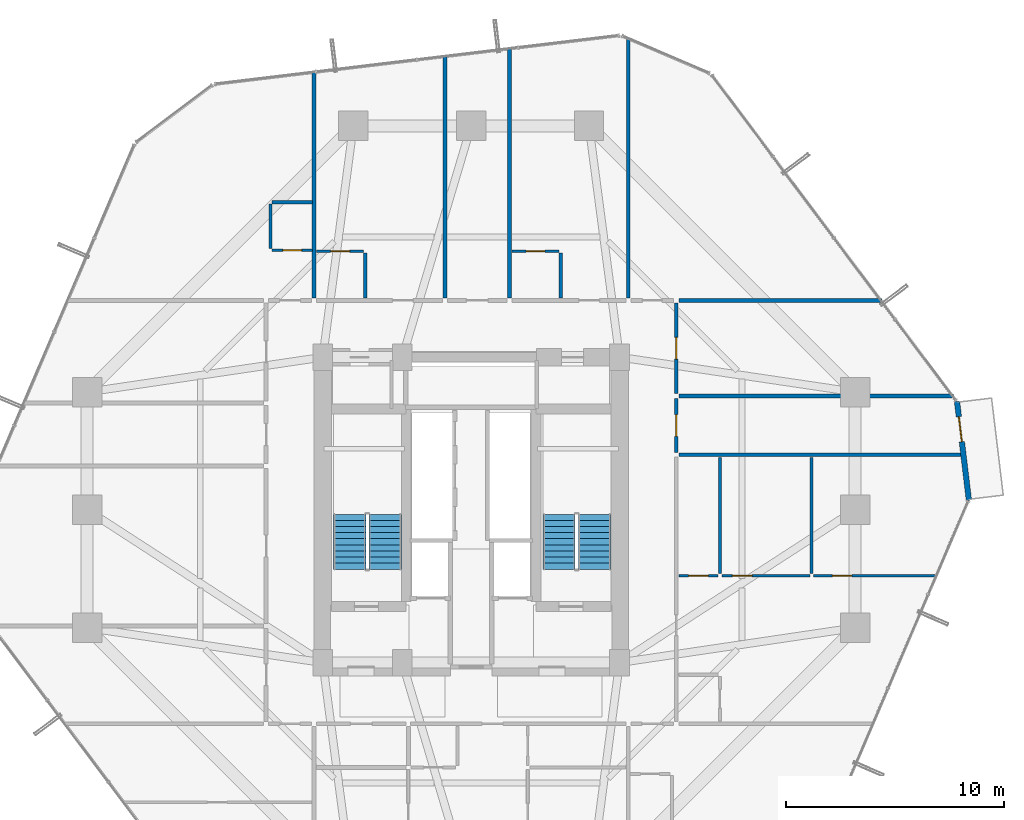
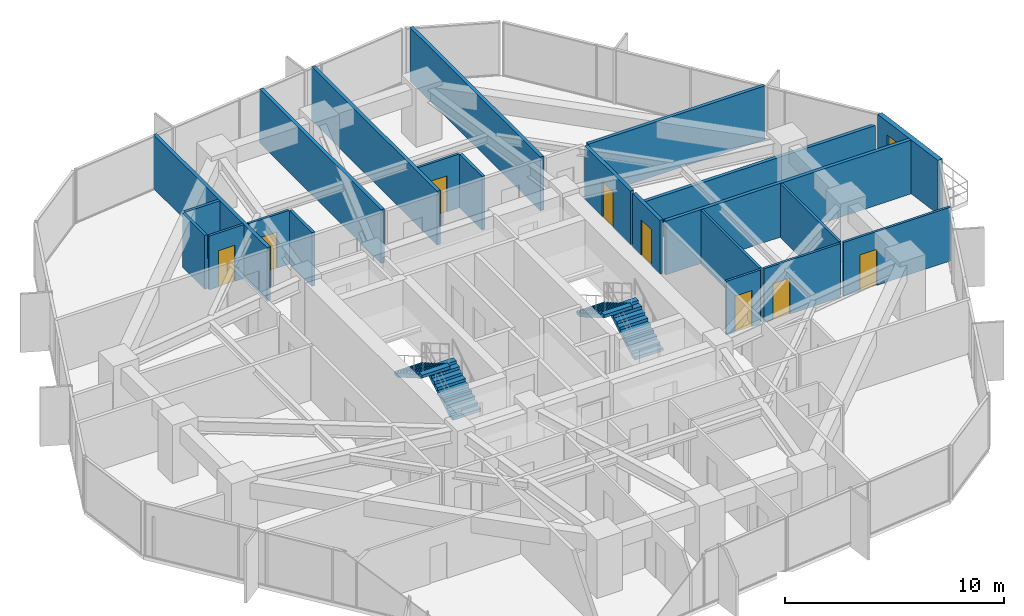
# One storey, part 35 of 37: 22 walls, 9 doors, 4 stair flights, 9 openings, 2 elements without a shape of their own.
"""IFC4 building model written with IfcOpenShell, lengths in metres."""

from ifc_helpers import new_model, si_unit, direction, frame, frame_2d, origin, place, context, subcontext, project, spatial, polyline, rectangle, outline, extrude, source, transform, mapped, material, layer, layer_set, type_object, element, fill, aggregate, save


model = new_model("IFC4")

# Units and contexts
model_context = context("Model", 3, precision=1e-05, world=origin(), true_north=direction((0.0, 1.0)))
body_context = subcontext(model_context, "Body", "Model", "MODEL_VIEW")
ifc_project = project(units=[si_unit("LENGTHUNIT", "METRE"), si_unit("AREAUNIT", "SQUARE_METRE"), si_unit("VOLUMEUNIT", "CUBIC_METRE"), si_unit("PLANEANGLEUNIT", "RADIAN"), si_unit("MASSUNIT", "GRAM", prefix="KILO")], contexts=[model_context])

# Site, building, storey
site_placement = place(None, origin())
site = spatial("IfcSite", under=ifc_project, at=site_placement, CompositionType="ELEMENT")
building_placement = place(site_placement, origin())
building = spatial("IfcBuilding", under=site, at=building_placement, Name="Veraguas Prism Commons", CompositionType="ELEMENT")
storey_placement = place(building_placement, frame((0.0, 0.0, 46.800048828125)))
storey = spatial("IfcBuildingStorey", under=building, at=storey_placement, Name="L12", CompositionType="ELEMENT", Elevation=46.800048828125)

# Walls
ifc_material_1 = material(Name="Autoclaved aerated masonry block 10 MPa", Category="masonry")
ifc_layer_1 = layer(ifc_material_1, 0.179931640625, Name="Corridor and Inter-Tenancy Partition 180", Category="masonry")
ifc_layer_set_1 = layer_set([ifc_layer_1], Name="Autoclaved aerated masonry block 10 MPa")
wall_type_1 = type_object("IfcWallType", Name="Corridor and Inter-Tenancy Partition 180", PredefinedType="PARTITIONING", material=ifc_layer_set_1)
wall_1_placement = place(storey_placement, frame((16.800048828125, 33.719970703125, 0.0), z_axis=(0.0, 0.0, 1.0), x_axis=(0.0, 1.0, 0.0)))
element("IfcWall", 1, at=wall_1_placement, inside=storey, type_object=wall_type_1, Name="WL-L12-PT017", PredefinedType="PARTITIONING", context=body_context, shape_type="SweptSolid", body=[
    extrude(rectangle(XDim=10.37841796875, YDim=0.179931640625, at=frame_2d((5.189208984375, 0.0))), origin(), (0.0, 0.0, 1.0), 3.0),
])
wall_2_placement = place(storey_placement, frame((31.199951171875, 33.719970703125, 0.0), z_axis=(0.0, 0.0, 1.0), x_axis=(0.0, 1.0, 0.0)))
element("IfcWall", 2, at=wall_2_placement, inside=storey, type_object=wall_type_1, Name="WL-L12-PT018", PredefinedType="PARTITIONING", context=body_context, shape_type="SweptSolid", body=[
    extrude(rectangle(XDim=11.922607421875, YDim=0.179931640625, at=frame_2d((5.96142578125, 0.0))), origin(), (0.0, 0.0, 1.0), 3.0),
])
wall_3_placement = place(storey_placement, frame((22.80810546875, 33.719970703125, 0.0), z_axis=(0.0, 0.0, 1.0), x_axis=(0.0, 1.0, 0.0)))
element("IfcWall", 3, at=wall_3_placement, inside=storey, type_object=wall_type_1, Name="WL-L12-PT020", PredefinedType="PARTITIONING", context=body_context, shape_type="SweptSolid", body=[
    extrude(rectangle(XDim=11.101318359375, YDim=0.179931640625, at=frame_2d((5.55078125, 0.0))), origin(), (0.0, 0.0, 1.0), 3.0),
])
wall_4_placement = place(storey_placement, frame((25.758056640625, 33.719970703125, 0.0), z_axis=(0.0, 0.0, 1.0), x_axis=(0.0, 1.0, 0.0)))
element("IfcWall", 4, at=wall_4_placement, inside=storey, type_object=wall_type_1, Name="WL-L12-PT024", PredefinedType="PARTITIONING", context=body_context, shape_type="SweptSolid", body=[
    extrude(rectangle(XDim=11.456298828125, YDim=0.179931640625, at=frame_2d((5.72802734375, 0.0))), origin(), (0.0, 0.0, 1.0), 3.0),
])
wall_5_placement = place(storey_placement, frame((33.52001953125, 33.60009765625, 0.0), z_axis=(0.0, 0.0, 1.0), x_axis=(1.0, 0.0, 0.0)))
element("IfcWall", 5, at=wall_5_placement, inside=storey, type_object=wall_type_1, Name="WL-L12-PT038", PredefinedType="PARTITIONING", context=body_context, shape_type="SweptSolid", body=[
    extrude(rectangle(XDim=9.29736328125, YDim=0.179931640625, at=frame_2d((4.648681640625, 0.0))), origin(), (0.0, 0.0, 1.0), 3.0),
])
wall_6_placement = place(storey_placement, frame((33.52001953125, 26.528076171875, 0.0), z_axis=(0.0, 0.0, 1.0), x_axis=(1.0, 0.0, 0.0)))
element("IfcWall", 6, at=wall_6_placement, inside=storey, type_object=wall_type_1, Name="WL-L12-PT047", PredefinedType="PARTITIONING", context=body_context, shape_type="SweptSolid", body=[
    extrude(rectangle(XDim=13.07080078125, YDim=0.179931640625, at=frame_2d((6.535400390625, 0.0))), origin(), (0.0, 0.0, 1.0), 3.0),
])

# Wall, opening, door
wall_7_placement = place(storey_placement, frame((33.39990234375, 26.637939453125, 0.0), z_axis=(0.0, 0.0, 1.0), x_axis=(0.0, 1.0, 0.0)))
wall_7 = element("IfcWall", 7, at=wall_7_placement, inside=storey, type_object=wall_type_1, Name="WL-L12-PT048", PredefinedType="PARTITIONING", context=body_context, shape_type="SweptSolid", body=[
    extrude(rectangle(XDim=2.467041015625, YDim=0.179931640625, at=frame_2d((1.2333984375, 0.0))), origin(), (0.0, 0.0, 1.0), 3.0),
])
opening_1_placement = place(wall_7_placement, frame((0.7333984375, 0.0, 0.0)))
opening_1 = element("IfcOpeningElement", 8, at=opening_1_placement, cuts=wall_7, Name="Opening DR-13", PredefinedType="OPENING", context=body_context, shape_type="SweptSolid", body=[
    extrude(rectangle(XDim=1.0, YDim=2.010009765625, at=frame_2d((0.5, 1.0048828125))), frame((0.0, 0.099853515625, 0.0), z_axis=(0.0, -1.0, 0.0), x_axis=(1.0, 0.0, 0.0)), (0.0, 0.0, 1.0), 0.199951171875),
])
ifc_material_2 = material(Name="Steel fire-rated door assembly", Category="steel")
door_type_1 = type_object("IfcDoorType", Name="Core Accessible WC and Clinic Fire Door 1000x2010", OperationType="NOTDEFINED", PredefinedType="DOOR", material=ifc_material_2)
shared_shape_1 = source(origin(), body_context, "Body", "SweptSolid", [
    extrude(rectangle(XDim=1.0, YDim=2.010009765625, at=frame_2d((0.5, 1.0048828125))), frame((0.0, 0.02490234375, 0.0), z_axis=(0.0, -1.0, 0.0), x_axis=(1.0, 0.0, 0.0)), (0.0, 0.0, 1.0), 0.050048828125),
])
door_1_placement = place(opening_1_placement, origin())
door_1 = element("IfcDoor", 9, at=door_1_placement, inside=storey, type_object=door_type_1, Name="Residents Study Room Door", OperationType="SINGLE_SWING_RIGHT", OverallHeight=2.010009765625, OverallWidth=1.0, PredefinedType="DOOR", context=body_context, shape_type="MappedRepresentation", body=[
    mapped(shared_shape_1, transform((0.0, 0.0, 0.0), scale=1.0)),
])
fill(opening_1, door_1)

wall_8_placement = place(storey_placement, frame((33.39990234375, 29.324951171875, 0.0), z_axis=(0.0, 0.0, 1.0), x_axis=(0.0, 1.0, 0.0)))
wall_8 = element("IfcWall", 10, at=wall_8_placement, inside=storey, type_object=wall_type_1, Name="WL-L12-PT049", PredefinedType="PARTITIONING", context=body_context, shape_type="SweptSolid", body=[
    extrude(rectangle(XDim=4.1650390625, YDim=0.179931640625, at=frame_2d((2.08251953125, 0.0))), origin(), (0.0, 0.0, 1.0), 3.0),
])
opening_2_placement = place(wall_8_placement, frame((1.58251953125, 0.0, 0.0)))
opening_2 = element("IfcOpeningElement", 11, at=opening_2_placement, cuts=wall_8, Name="Opening DR-13", PredefinedType="OPENING", context=body_context, shape_type="SweptSolid", body=[
    extrude(rectangle(XDim=1.0, YDim=2.010009765625, at=frame_2d((0.5, 1.0048828125))), frame((0.0, 0.099853515625, 0.0), z_axis=(0.0, -1.0, 0.0), x_axis=(1.0, 0.0, 0.0)), (0.0, 0.0, 1.0), 0.199951171875),
])
door_2_placement = place(opening_2_placement, origin())
door_2 = element("IfcDoor", 12, at=door_2_placement, inside=storey, type_object=door_type_1, Name="Co-op Store E Door", OperationType="SINGLE_SWING_LEFT", OverallHeight=2.010009765625, OverallWidth=1.0, PredefinedType="DOOR", context=body_context, shape_type="MappedRepresentation", body=[
    mapped(shared_shape_1, transform((0.0, 0.0, 0.0), scale=1.0)),
])
fill(opening_2, door_2)

# Wall
wall_9_placement = place(storey_placement, frame((33.52001953125, 29.215087890625, 0.0), z_axis=(0.0, 0.0, 1.0), x_axis=(1.0, 0.0, 0.0)))
element("IfcWall", 13, at=wall_9_placement, inside=storey, type_object=wall_type_1, Name="WL-L12-PT050", PredefinedType="PARTITIONING", context=body_context, shape_type="SweptSolid", body=[
    extrude(rectangle(XDim=12.5849609375, YDim=0.179931640625, at=frame_2d((6.29248046875, 0.0))), origin(), (0.0, 0.0, 1.0), 2.299072265625),
])

# Wall, opening, door
ifc_material_3 = material(Name="Precast concrete C40/50", Category="concrete")
ifc_layer_2 = layer(ifc_material_3, 0.25, Name="External Loggia and Portal Wall 250", Category="concrete")
ifc_layer_set_2 = layer_set([ifc_layer_2], Name="Precast concrete C40/50")
wall_type_2 = type_object("IfcWallType", Name="External Loggia and Portal Wall 250", PredefinedType="SOLIDWALL", material=ifc_layer_set_2)
wall_10_placement = place(storey_placement, frame((46.81201171875, 24.43798828125, 0.0), z_axis=(0.0, 0.0, 1.0), x_axis=(-0.119460515021, 0.992838952374, 0.0)))
wall_10 = element("IfcWall", 14, at=wall_10_placement, inside=storey, type_object=wall_type_2, Name="Corner Loggia Wall L12-C1", PredefinedType="SOLIDWALL", context=body_context, shape_type="SweptSolid", body=[
    extrude(rectangle(XDim=4.579833984375, YDim=0.25, at=frame_2d((2.2900390625, 0.0))), origin(), (0.0, 0.0, 1.0), 3.0),
])
opening_3_placement = place(wall_10_placement, frame((2.7099609375, 0.0, 0.0)))
opening_3 = element("IfcOpeningElement", 15, at=opening_3_placement, cuts=wall_10, Name="Opening DR-10", PredefinedType="OPENING", context=body_context, shape_type="SweptSolid", body=[
    extrude(rectangle(XDim=1.14990234375, YDim=2.25, at=frame_2d((0.574951171875, 1.125))), frame((0.0, 0.135009765625, 0.0), z_axis=(0.0, -1.0, 0.0), x_axis=(1.0, 0.0, 0.0)), (0.0, 0.0, 1.0), 0.27001953125),
])
ifc_material_4 = material(Name="Anodised aluminium EN AW-6063 T6", Category="aluminium")
door_type_2 = type_object("IfcDoorType", Name="Glazed Loggia and Terrace Door 1150x2250", OperationType="NOTDEFINED", PredefinedType="DOOR", material=ifc_material_4)
shared_shape_2 = source(origin(), body_context, "Body", "SweptSolid", [
    extrude(rectangle(XDim=1.14990234375, YDim=2.25, at=frame_2d((0.574951171875, 1.125))), frame((0.0, 0.02490234375, 0.0), z_axis=(0.0, -1.0, 0.0), x_axis=(1.0, 0.0, 0.0)), (0.0, 0.0, 1.0), 0.050048828125),
])
door_3_placement = place(opening_3_placement, frame((1.14990234375, 0.0, 0.0), z_axis=(0.0, 0.0, 1.0), x_axis=(-1.0, 0.0, 0.0)))
door_3 = element("IfcDoor", 16, at=door_3_placement, inside=storey, type_object=door_type_2, Name="Recessed Loggia Door L12-C1", OperationType="SINGLE_SWING_RIGHT", OverallHeight=2.25, OverallWidth=1.14990234375, PredefinedType="DOOR", context=body_context, shape_type="MappedRepresentation", body=[
    mapped(shared_shape_2, transform((0.0, 0.0, 0.0), scale=1.0)),
])
fill(opening_3, door_3)

ifc_material_5 = material(Name="Lightweight acoustic gypsum board")
ifc_layer_3 = layer(ifc_material_5, 0.125, Name="Internal Apartment Room Partition 125")
ifc_layer_set_3 = layer_set([ifc_layer_3], Name="Lightweight acoustic gypsum board")
wall_type_3 = type_object("IfcWallType", Name="Internal Apartment Room Partition 125", PredefinedType="PARTITIONING", material=ifc_layer_set_3)
wall_11_placement = place(storey_placement, frame((16.919921875, 35.85009765625, 0.0), z_axis=(0.0, 0.0, 1.0), x_axis=(1.0, 0.0, 0.0)))
wall_11 = element("IfcWall", 17, at=wall_11_placement, inside=storey, type_object=wall_type_3, Name="WL-L12-PT023", PredefinedType="PARTITIONING", context=body_context, shape_type="SweptSolid", body=[
    extrude(rectangle(XDim=2.150146484375, YDim=0.125, at=frame_2d((1.0751953125, 0.0))), origin(), (0.0, 0.0, 1.0), 3.0),
])
opening_4_placement = place(wall_11_placement, frame((0.64501953125, 0.0, 0.0)))
opening_4 = element("IfcOpeningElement", 18, at=opening_4_placement, cuts=wall_11, Name="Opening DR-03", PredefinedType="OPENING", context=body_context, shape_type="SweptSolid", body=[
    extrude(rectangle(XDim=0.860107421875, YDim=2.010009765625, at=frame_2d((0.43017578125, 1.0048828125))), frame((0.0, 0.072509765625, 0.0), z_axis=(0.0, -1.0, 0.0), x_axis=(1.0, 0.0, 0.0)), (0.0, 0.0, 1.0), 0.14501953125),
])
ifc_material_6 = material(Name="Timber moisture-resistant leaf", Category="wood")
door_type_3 = type_object("IfcDoorType", Name="Internal Bathroom Door 860x2010", OperationType="NOTDEFINED", PredefinedType="DOOR", material=ifc_material_6)
shared_shape_3 = source(origin(), body_context, "Body", "SweptSolid", [
    extrude(rectangle(XDim=0.860107421875, YDim=2.010009765625, at=frame_2d((0.43017578125, 1.0048828125))), frame((0.0, 0.02490234375, 0.0), z_axis=(0.0, -1.0, 0.0), x_axis=(1.0, 0.0, 0.0)), (0.0, 0.0, 1.0), 0.050048828125),
])
door_4_placement = place(opening_4_placement, origin())
door_4 = element("IfcDoor", 19, at=door_4_placement, inside=storey, type_object=door_type_3, Name="Studio 12B Bathroom Door", OperationType="SINGLE_SWING_RIGHT", OverallHeight=2.010009765625, OverallWidth=0.860107421875, PredefinedType="DOOR", context=body_context, shape_type="MappedRepresentation", body=[
    mapped(shared_shape_3, transform((0.0, 0.0, 0.0), scale=1.0)),
])
fill(opening_4, door_4)

wall_12_placement = place(storey_placement, frame((25.8779296875, 35.85009765625, 0.0), z_axis=(0.0, 0.0, 1.0), x_axis=(1.0, 0.0, 0.0)))
wall_12 = element("IfcWall", 20, at=wall_12_placement, inside=storey, type_object=wall_type_3, Name="WL-L12-PT027", PredefinedType="PARTITIONING", context=body_context, shape_type="SweptSolid", body=[
    extrude(rectangle(XDim=2.150146484375, YDim=0.125, at=frame_2d((1.0751953125, 0.0))), origin(), (0.0, 0.0, 1.0), 3.0),
])
opening_5_placement = place(wall_12_placement, frame((0.64501953125, 0.0, 0.0)))
opening_5 = element("IfcOpeningElement", 21, at=opening_5_placement, cuts=wall_12, Name="Opening DR-03", PredefinedType="OPENING", context=body_context, shape_type="SweptSolid", body=[
    extrude(rectangle(XDim=0.860107421875, YDim=2.010009765625, at=frame_2d((0.43017578125, 1.0048828125))), frame((0.0, 0.072509765625, 0.0), z_axis=(0.0, -1.0, 0.0), x_axis=(1.0, 0.0, 0.0)), (0.0, 0.0, 1.0), 0.14501953125),
])
door_5_placement = place(opening_5_placement, origin())
door_5 = element("IfcDoor", 22, at=door_5_placement, inside=storey, type_object=door_type_3, Name="Studio 12C Bathroom Door", OperationType="SINGLE_SWING_RIGHT", OverallHeight=2.010009765625, OverallWidth=0.860107421875, PredefinedType="DOOR", context=body_context, shape_type="MappedRepresentation", body=[
    mapped(shared_shape_3, transform((0.0, 0.0, 0.0), scale=1.0)),
])
fill(opening_5, door_5)

wall_13_placement = place(storey_placement, frame((33.52001953125, 20.97998046875, 0.0), z_axis=(0.0, 0.0, 1.0), x_axis=(1.0, 0.0, 0.0)))
wall_13 = element("IfcWall", 23, at=wall_13_placement, inside=storey, type_object=wall_type_3, Name="WL-L12-PT042", PredefinedType="PARTITIONING", context=body_context, shape_type="SweptSolid", body=[
    extrude(rectangle(XDim=1.800048828125, YDim=0.125, at=frame_2d((0.89990234375, 0.0))), origin(), (0.0, 0.0, 1.0), 3.0),
])
opening_6_placement = place(wall_13_placement, frame((0.449951171875, 0.0, 0.0)))
opening_6 = element("IfcOpeningElement", 24, at=opening_6_placement, cuts=wall_13, Name="Opening DR-02", PredefinedType="OPENING", context=body_context, shape_type="SweptSolid", body=[
    extrude(rectangle(XDim=0.89990234375, YDim=2.010009765625, at=frame_2d((0.449951171875, 1.0048828125))), frame((0.0, 0.072509765625, 0.0), z_axis=(0.0, -1.0, 0.0), x_axis=(1.0, 0.0, 0.0)), (0.0, 0.0, 1.0), 0.14501953125),
])
ifc_material_7 = material(Name="Timber solid core hardwood", Category="wood")
door_type_4 = type_object("IfcDoorType", Name="Internal Habitable Room Door 900x2010", OperationType="NOTDEFINED", PredefinedType="DOOR", material=ifc_material_7)
shared_shape_4 = source(origin(), body_context, "Body", "SweptSolid", [
    extrude(rectangle(XDim=0.89990234375, YDim=2.010009765625, at=frame_2d((0.449951171875, 1.0048828125))), frame((0.0, 0.02490234375, 0.0), z_axis=(0.0, -1.0, 0.0), x_axis=(1.0, 0.0, 0.0)), (0.0, 0.0, 1.0), 0.050048828125),
])
door_6_placement = place(opening_6_placement, origin())
door_6 = element("IfcDoor", 25, at=door_6_placement, inside=storey, type_object=door_type_4, Name="Flat 12D Kitchen Door", OperationType="SINGLE_SWING_LEFT", OverallHeight=2.010009765625, OverallWidth=0.89990234375, PredefinedType="DOOR", context=body_context, shape_type="MappedRepresentation", body=[
    mapped(shared_shape_4, transform((0.0, 0.0, 0.0), scale=1.0)),
])
fill(opening_6, door_6)

# Walls
for number, where, z_axis, x_axis, name in (
    (26, (35.39990234375, 21.080078125, 0.0), (0.0, 0.0, 1.0), (0.0, 1.0, 0.0), "WL-L12-PT043"),
    (27, (39.60009765625, 21.080078125, 0.0), (0.0, 0.0, 1.0), (0.0, 1.0, 0.0), "WL-L12-PT044"),
):
    element("IfcWall", number, at=place(storey_placement, frame(where, z_axis=z_axis, x_axis=x_axis)), inside=storey, type_object=wall_type_3, Name=name, PredefinedType="PARTITIONING", context=body_context, shape_type="SweptSolid", body=[
        extrude(rectangle(XDim=5.327880859375, YDim=0.125, at=frame_2d((2.6640625, 0.0))), origin(), (0.0, 0.0, 1.0), 3.0),
    ])

# Wall, opening, door
wall_14_placement = place(storey_placement, frame((35.5, 20.97998046875, 0.0), z_axis=(0.0, 0.0, 1.0), x_axis=(1.0, 0.0, 0.0)))
wall_14 = element("IfcWall", 28, at=wall_14_placement, inside=storey, type_object=wall_type_3, Name="WL-L12-PT045", PredefinedType="PARTITIONING", context=body_context, shape_type="SweptSolid", body=[
    extrude(rectangle(XDim=4.02001953125, YDim=0.125, at=frame_2d((2.010009765625, 0.0))), origin(), (0.0, 0.0, 1.0), 3.0),
])
opening_7_placement = place(wall_14_placement, frame((0.471923828125, 0.0, 0.0)))
opening_7 = element("IfcOpeningElement", 29, at=opening_7_placement, cuts=wall_14, Name="Opening DR-02", PredefinedType="OPENING", context=body_context, shape_type="SweptSolid", body=[
    extrude(rectangle(XDim=0.89990234375, YDim=2.010009765625, at=frame_2d((0.449951171875, 1.0048828125))), frame((0.0, 0.072509765625, 0.0), z_axis=(0.0, -1.0, 0.0), x_axis=(1.0, 0.0, 0.0)), (0.0, 0.0, 1.0), 0.14501953125),
])
door_7_placement = place(opening_7_placement, origin())
door_7 = element("IfcDoor", 30, at=door_7_placement, inside=storey, type_object=door_type_4, Name="Flat 12D Bedroom 1 Door", OperationType="SINGLE_SWING_RIGHT", OverallHeight=2.010009765625, OverallWidth=0.89990234375, PredefinedType="DOOR", context=body_context, shape_type="MappedRepresentation", body=[
    mapped(shared_shape_4, transform((0.0, 0.0, 0.0), scale=1.0)),
])
fill(opening_7, door_7)

wall_15_placement = place(storey_placement, frame((39.699951171875, 20.97998046875, 0.0), z_axis=(0.0, 0.0, 1.0), x_axis=(1.0, 0.0, 0.0)))
wall_15 = element("IfcWall", 31, at=wall_15_placement, inside=storey, type_object=wall_type_3, Name="WL-L12-PT046", PredefinedType="PARTITIONING", context=body_context, shape_type="SweptSolid", body=[
    extrude(rectangle(XDim=5.645263671875, YDim=0.125, at=frame_2d((2.82275390625, 0.0))), origin(), (0.0, 0.0, 1.0), 3.0),
])
opening_8_placement = place(wall_15_placement, frame((0.851806640625, 0.0, 0.0)))
opening_8 = element("IfcOpeningElement", 32, at=opening_8_placement, cuts=wall_15, Name="Opening DR-02", PredefinedType="OPENING", context=body_context, shape_type="SweptSolid", body=[
    extrude(rectangle(XDim=0.89990234375, YDim=2.010009765625, at=frame_2d((0.449951171875, 1.0048828125))), frame((0.0, 0.072509765625, 0.0), z_axis=(0.0, -1.0, 0.0), x_axis=(1.0, 0.0, 0.0)), (0.0, 0.0, 1.0), 0.14501953125),
])
door_8_placement = place(opening_8_placement, origin())
door_8 = element("IfcDoor", 33, at=door_8_placement, inside=storey, type_object=door_type_4, Name="Flat 12D Bedroom 2 Door", OperationType="SINGLE_SWING_LEFT", OverallHeight=2.010009765625, OverallWidth=0.89990234375, PredefinedType="DOOR", context=body_context, shape_type="MappedRepresentation", body=[
    mapped(shared_shape_4, transform((0.0, 0.0, 0.0), scale=1.0)),
])
fill(opening_8, door_8)

wall_16_placement = place(storey_placement, frame((14.8798828125, 35.89990234375, 0.0), z_axis=(0.0, 0.0, 1.0), x_axis=(1.0, 0.0, 0.0)))
wall_16 = element("IfcWall", 34, at=wall_16_placement, inside=storey, type_object=wall_type_3, Name="WL-L12-PT058", PredefinedType="PARTITIONING", context=body_context, shape_type="SweptSolid", body=[
    extrude(rectangle(XDim=1.840087890625, YDim=0.125, at=frame_2d((0.919921875, 0.0))), origin(), (0.0, 0.0, 1.0), 3.0),
])
opening_9_placement = place(wall_16_placement, frame((0.489990234375, 0.0, 0.0)))
opening_9 = element("IfcOpeningElement", 35, at=opening_9_placement, cuts=wall_16, Name="Opening DR-03", PredefinedType="OPENING", context=body_context, shape_type="SweptSolid", body=[
    extrude(rectangle(XDim=0.860107421875, YDim=2.010009765625, at=frame_2d((0.43017578125, 1.0048828125))), frame((0.0, 0.072509765625, 0.0), z_axis=(0.0, -1.0, 0.0), x_axis=(1.0, 0.0, 0.0)), (0.0, 0.0, 1.0), 0.14501953125),
])
door_9_placement = place(opening_9_placement, origin())
door_9 = element("IfcDoor", 36, at=door_9_placement, inside=storey, type_object=door_type_3, Name="Studio 12F Bathroom Door", OperationType="SINGLE_SWING_LEFT", OverallHeight=2.010009765625, OverallWidth=0.860107421875, PredefinedType="DOOR", context=body_context, shape_type="MappedRepresentation", body=[
    mapped(shared_shape_3, transform((0.0, 0.0, 0.0), scale=1.0)),
])
fill(opening_9, door_9)

# Walls
ifc_layer_4 = layer(ifc_material_5, 0.14990234375, Name="Wet Room and Clinic Acoustic Partition 150")
ifc_layer_set_4 = layer_set([ifc_layer_4], Name="Lightweight acoustic gypsum board")
wall_type_4 = type_object("IfcWallType", Name="Wet Room and Clinic Acoustic Partition 150", PredefinedType="PARTITIONING", material=ifc_layer_set_4)
for number, where, z_axis, x_axis, name in (
    (37, (19.14990234375, 33.719970703125, 0.0), (0.0, 0.0, 1.0), (0.0, 1.0, 0.0), "WL-L12-PT022"),
    (38, (28.10791015625, 33.719970703125, 0.0), (0.0, 0.0, 1.0), (0.0, 1.0, 0.0), "WL-L12-PT026"),
):
    element("IfcWall", number, at=place(storey_placement, frame(where, z_axis=z_axis, x_axis=x_axis)), inside=storey, type_object=wall_type_4, Name=name, PredefinedType="PARTITIONING", context=body_context, shape_type="SweptSolid", body=[
        extrude(rectangle(XDim=2.050048828125, YDim=0.14990234375, at=frame_2d((1.02490234375, 0.0))), origin(), (0.0, 0.0, 1.0), 3.0),
    ])
wall_17_placement = place(storey_placement, frame((14.8798828125, 38.10009765625, 0.0), z_axis=(0.0, 0.0, 1.0), x_axis=(1.0, 0.0, 0.0)))
element("IfcWall", 39, at=wall_17_placement, inside=storey, type_object=wall_type_4, Name="WL-L12-PT059", PredefinedType="PARTITIONING", context=body_context, shape_type="SweptSolid", body=[
    extrude(rectangle(XDim=1.840087890625, YDim=0.14990234375, at=frame_2d((0.919921875, 0.0))), origin(), (0.0, 0.0, 1.0), 3.0),
])
wall_18_placement = place(storey_placement, frame((14.800048828125, 35.97998046875, 0.0), z_axis=(0.0, 0.0, 1.0), x_axis=(0.0, 1.0, 0.0)))
element("IfcWall", 40, at=wall_18_placement, inside=storey, type_object=wall_type_4, Name="WL-L12-PT060", PredefinedType="PARTITIONING", context=body_context, shape_type="SweptSolid", body=[
    extrude(rectangle(XDim=2.0400390625, YDim=0.14990234375, at=frame_2d((1.02001953125, 0.0))), origin(), (0.0, 0.0, 1.0), 3.0),
])

# Stair, stair flights
ifc_material_8 = material(Name="Precast concrete C45/55", Category="concrete")
stair_type = type_object("IfcStairType", Name="Dogleg Core Stair 1480W 20R 05", PredefinedType="HALF_TURN_STAIR", material=ifc_material_8)
stair_1_placement = place(storey_placement, origin())
stair_1 = element("IfcStair", 41, at=stair_1_placement, inside=storey, type_object=stair_type, Name="Protected Exit Stair ST-01 L12", PredefinedType="HALF_TURN_STAIR")
stair_flight_type = type_object("IfcStairFlightType", Name="Precast Stair Flight 1480W 10R 05", PredefinedType="STRAIGHT", material=ifc_material_8)
stair_flight_1_placement = place(storey_placement, frame((20.06005859375, 21.280029296875, 0.0), z_axis=(0.0, 0.0, 1.0), x_axis=(0.0, 1.0, 0.0)))
stair_flight_1 = element("IfcStairFlight", 42, at=stair_flight_1_placement, type_object=stair_flight_type, Name="ST-05 Flight 1", NumberOfRisers=10, NumberOfTreads=9, PredefinedType="STRAIGHT", RiserHeight=0.1625, TreadLength=0.28, context=body_context, shape_type="SweptSolid", body=[
    extrude(outline(polyline([(0.0, 0.0), (0.0, 0.16259765625), (0.280029296875, 0.16259765625), (0.280029296875, 0.324951171875), (0.56005859375, 0.324951171875), (0.56005859375, 0.487548828125), (0.840087890625, 0.487548828125), (0.840087890625, 0.64990234375), (1.1201171875, 0.64990234375), (1.1201171875, 0.8125), (1.39990234375, 0.8125), (1.39990234375, 0.97509765625), (1.679931640625, 0.97509765625), (1.679931640625, 1.137451171875), (1.9599609375, 1.137451171875), (1.9599609375, 1.300048828125), (2.239990234375, 1.300048828125), (2.239990234375, 1.46240234375), (2.52001953125, 1.46240234375), (2.52001953125, 1.625), (2.52001953125, 1.2890625), (0.298583984375, 0.0), (0.0, 0.0)])), frame((0.0, 0.739990234375, 0.0), z_axis=(0.0, -1.0, 0.0), x_axis=(1.0, 0.0, 0.0)), (0.0, 0.0, 1.0), 1.47998046875),
])
stair_flight_2_placement = place(storey_placement, frame((18.429931640625, 23.800048828125, 1.625), z_axis=(0.0, 0.0, 1.0), x_axis=(0.0, -1.0, 0.0)))
stair_flight_2 = element("IfcStairFlight", 43, at=stair_flight_2_placement, type_object=stair_flight_type, Name="ST-05 Flight 2", NumberOfRisers=10, NumberOfTreads=9, PredefinedType="STRAIGHT", RiserHeight=0.1625, TreadLength=0.28, context=body_context, shape_type="SweptSolid", body=[
    extrude(outline(polyline([(0.0, 0.0), (0.0, 0.16259765625), (0.280029296875, 0.16259765625), (0.280029296875, 0.324951171875), (0.56005859375, 0.324951171875), (0.56005859375, 0.487548828125), (0.840087890625, 0.487548828125), (0.840087890625, 0.64990234375), (1.1201171875, 0.64990234375), (1.1201171875, 0.8125), (1.39990234375, 0.8125), (1.39990234375, 0.97509765625), (1.679931640625, 0.97509765625), (1.679931640625, 1.137451171875), (1.9599609375, 1.137451171875), (1.9599609375, 1.300048828125), (2.239990234375, 1.300048828125), (2.239990234375, 1.46240234375), (2.52001953125, 1.46240234375), (2.52001953125, 1.625), (2.52001953125, 1.2890625), (0.298583984375, 0.0), (0.0, 0.0)])), frame((0.0, 0.739990234375, 0.0), z_axis=(0.0, -1.0, 0.0), x_axis=(1.0, 0.0, 0.0)), (0.0, 0.0, 1.0), 1.47998046875),
])
aggregate(stair_1, [stair_flight_1, stair_flight_2])

stair_2_placement = place(storey_placement, origin())
stair_2 = element("IfcStair", 44, at=stair_2_placement, inside=storey, type_object=stair_type, Name="Protected Exit Stair ST-02 L12", PredefinedType="HALF_TURN_STAIR")
stair_flight_3_placement = place(storey_placement, frame((29.659912109375, 21.280029296875, 0.0), z_axis=(0.0, 0.0, 1.0), x_axis=(0.0, 1.0, 0.0)))
stair_flight_3 = element("IfcStairFlight", 45, at=stair_flight_3_placement, type_object=stair_flight_type, Name="ST-05 Flight 1", NumberOfRisers=10, NumberOfTreads=9, PredefinedType="STRAIGHT", RiserHeight=0.1625, TreadLength=0.28, context=body_context, shape_type="SweptSolid", body=[
    extrude(outline(polyline([(0.0, 0.0), (0.0, 0.16259765625), (0.280029296875, 0.16259765625), (0.280029296875, 0.324951171875), (0.56005859375, 0.324951171875), (0.56005859375, 0.487548828125), (0.840087890625, 0.487548828125), (0.840087890625, 0.64990234375), (1.1201171875, 0.64990234375), (1.1201171875, 0.8125), (1.39990234375, 0.8125), (1.39990234375, 0.97509765625), (1.679931640625, 0.97509765625), (1.679931640625, 1.137451171875), (1.9599609375, 1.137451171875), (1.9599609375, 1.300048828125), (2.239990234375, 1.300048828125), (2.239990234375, 1.46240234375), (2.52001953125, 1.46240234375), (2.52001953125, 1.625), (2.52001953125, 1.2890625), (0.298583984375, 0.0), (0.0, 0.0)])), frame((0.0, 0.739990234375, 0.0), z_axis=(0.0, -1.0, 0.0), x_axis=(1.0, 0.0, 0.0)), (0.0, 0.0, 1.0), 1.47998046875),
])
stair_flight_4_placement = place(storey_placement, frame((28.030029296875, 23.800048828125, 1.625), z_axis=(0.0, 0.0, 1.0), x_axis=(0.0, -1.0, 0.0)))
stair_flight_4 = element("IfcStairFlight", 46, at=stair_flight_4_placement, type_object=stair_flight_type, Name="ST-05 Flight 2", NumberOfRisers=10, NumberOfTreads=9, PredefinedType="STRAIGHT", RiserHeight=0.1625, TreadLength=0.28, context=body_context, shape_type="SweptSolid", body=[
    extrude(outline(polyline([(0.0, 0.0), (0.0, 0.16259765625), (0.280029296875, 0.16259765625), (0.280029296875, 0.324951171875), (0.56005859375, 0.324951171875), (0.56005859375, 0.487548828125), (0.840087890625, 0.487548828125), (0.840087890625, 0.64990234375), (1.1201171875, 0.64990234375), (1.1201171875, 0.8125), (1.39990234375, 0.8125), (1.39990234375, 0.97509765625), (1.679931640625, 0.97509765625), (1.679931640625, 1.137451171875), (1.9599609375, 1.137451171875), (1.9599609375, 1.300048828125), (2.239990234375, 1.300048828125), (2.239990234375, 1.46240234375), (2.52001953125, 1.46240234375), (2.52001953125, 1.625), (2.52001953125, 1.2890625), (0.298583984375, 0.0), (0.0, 0.0)])), frame((0.0, 0.739990234375, 0.0), z_axis=(0.0, -1.0, 0.0), x_axis=(1.0, 0.0, 0.0)), (0.0, 0.0, 1.0), 1.47998046875),
])
aggregate(stair_2, [stair_flight_3, stair_flight_4])

save(model, "model.ifc")
